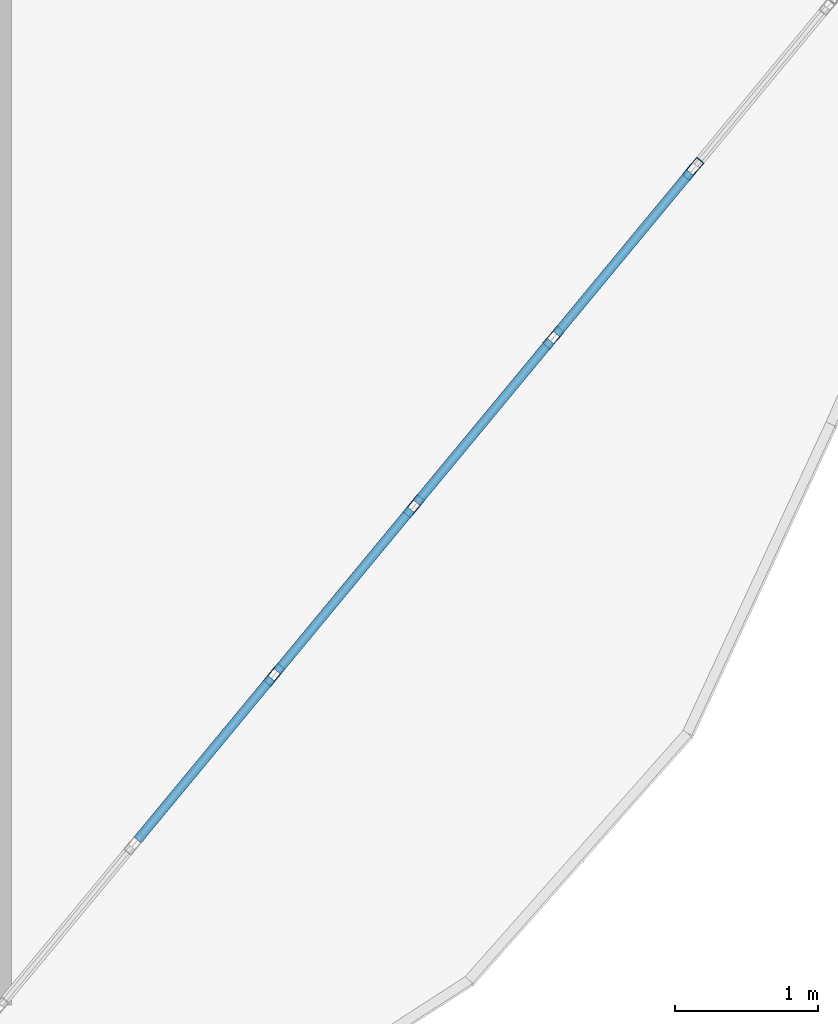
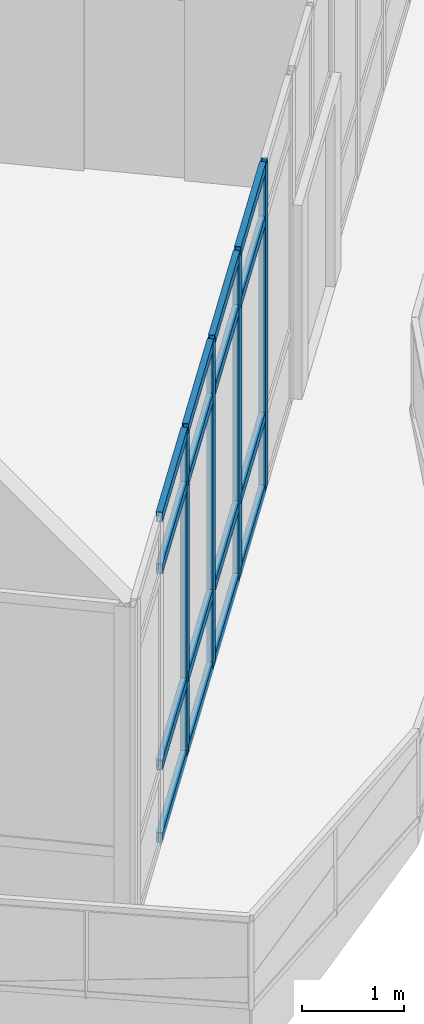
# One storey, part 124 of 184: 20 members, 1 element without a shape of its own.
"""IFC4 building model written with IfcOpenShell, lengths in metres."""

from ifc_helpers import new_model, si_unit, direction, frame, origin, origin_2d, place, context, subcontext, project, spatial, hollow_rectangle, extrude, material, material_profile, profile_set, type_object, element, aggregate, save


model = new_model("IFC4")

# Units and contexts
model_context = context("Model", 3, precision=1e-05, world=origin(), true_north=direction((0.0, 1.0)))
body_context = subcontext(model_context, "Body", "Model", "MODEL_VIEW")
ifc_project = project(units=[si_unit("LENGTHUNIT", "METRE"), si_unit("AREAUNIT", "SQUARE_METRE"), si_unit("VOLUMEUNIT", "CUBIC_METRE"), si_unit("PLANEANGLEUNIT", "RADIAN"), si_unit("MASSUNIT", "GRAM", prefix="KILO")], contexts=[model_context])

# Site, building, storey
site_placement = place(None, origin())
site = spatial("IfcSite", under=ifc_project, at=site_placement, CompositionType="ELEMENT")
building_placement = place(site_placement, origin())
building = spatial("IfcBuilding", under=site, at=building_placement, Name="Selatvlak General Hospital", CompositionType="ELEMENT")
storey_placement = place(building_placement, frame((0.0, 0.0, 15.0)))
storey = spatial("IfcBuildingStorey", under=building, at=storey_placement, Name="L03", CompositionType="ELEMENT", Elevation=15.0)

# Curtain wall, members
ifc_material_1 = material(Name="Solar-control Low-E double glazing", Category="glass")
curtain_wall_type = type_object("IfcCurtainWallType", Name="CW-CW-01", PredefinedType="USERDEFINED", material=ifc_material_1)
curtain_wall_placement = place(storey_placement, origin())
curtain_wall = element("IfcCurtainWall", 1, at=curtain_wall_placement, inside=storey, type_object=curtain_wall_type, Name="Glazed facade curtain wall CW-L03-0395", ObjectType="UNITISED CURTAIN WALL", PredefinedType="USERDEFINED")
ifc_material_2 = material(Name="Dark anodised aluminium mullion", Category="aluminium")
ifc_material_profile_1 = material_profile(ifc_material_2, hollow_rectangle(XDim=0.06494140625, YDim=0.159912109375, WallThickness=0.00390625, at=origin_2d()), Name="AL-MUL 65x160x4")
ifc_profile_set_1 = profile_set([ifc_material_profile_1], Name="Dark anodised aluminium mullion")
member_type_1 = type_object("IfcMemberType", Name="CWM-01", PredefinedType="MULLION", material=ifc_profile_set_1)
member_1_placement = place(storey_placement, frame((170.46044921875, 49.87841796875, 0.0), z_axis=(0.0, 0.0, 1.0), x_axis=(0.770267232802, -0.637721247938, 0.0)))
member_1 = element("IfcMember", 2, at=member_1_placement, type_object=member_type_1, Name="CW-01 mullion 2", PredefinedType="MULLION", context=body_context, shape_type="SweptSolid", body=[
    extrude(hollow_rectangle(XDim=0.06494140625, YDim=0.159912109375, WallThickness=0.00390625, at=origin_2d()), origin(), (0.0, 0.0, 1.0), 3.89501953125),
])
member_2_placement = place(storey_placement, frame((169.48291015625, 48.69775390625, 0.0), z_axis=(0.0, 0.0, 1.0), x_axis=(0.770267232802, -0.637721247938, 0.0)))
member_2 = element("IfcMember", 3, at=member_2_placement, type_object=member_type_1, Name="CW-01 mullion 3", PredefinedType="MULLION", context=body_context, shape_type="SweptSolid", body=[
    extrude(hollow_rectangle(XDim=0.06494140625, YDim=0.159912109375, WallThickness=0.00390625, at=origin_2d()), origin(), (0.0, 0.0, 1.0), 3.89501953125),
])
member_3_placement = place(storey_placement, frame((168.505615234375, 47.51708984375, 0.0), z_axis=(0.0, 0.0, 1.0), x_axis=(0.770267232802, -0.637721247938, 0.0)))
member_3 = element("IfcMember", 4, at=member_3_placement, type_object=member_type_1, Name="CW-01 mullion 4", PredefinedType="MULLION", context=body_context, shape_type="SweptSolid", body=[
    extrude(hollow_rectangle(XDim=0.06494140625, YDim=0.159912109375, WallThickness=0.00390625, at=origin_2d()), origin(), (0.0, 0.0, 1.0), 3.89501953125),
])
member_4_placement = place(storey_placement, frame((167.528076171875, 46.33642578125, 0.0), z_axis=(0.0, 0.0, 1.0), x_axis=(0.770267232802, -0.637721247938, 0.0)))
member_4 = element("IfcMember", 5, at=member_4_placement, type_object=member_type_1, Name="CW-01 mullion 5", PredefinedType="MULLION", context=body_context, shape_type="SweptSolid", body=[
    extrude(hollow_rectangle(XDim=0.06494140625, YDim=0.159912109375, WallThickness=0.00390625, at=origin_2d()), origin(), (0.0, 0.0, 1.0), 3.89501953125),
])
ifc_material_profile_2 = material_profile(ifc_material_2, hollow_rectangle(XDim=0.06494140625, YDim=0.1201171875, WallThickness=0.00390625, at=origin_2d()), Name="AL-TRN 65x120x4")
ifc_profile_set_2 = profile_set([ifc_material_profile_2], Name="Dark anodised aluminium mullion")
member_type_2 = type_object("IfcMemberType", Name="CWT-01", PredefinedType="USERDEFINED", material=ifc_profile_set_2)
member_5_placement = place(storey_placement, frame((170.439697265625, 49.853271484375, 0.032470703125), z_axis=(-0.637710674404, -0.770275986742, 0.0), x_axis=(0.770275986742, -0.637710674404, 0.0)))
member_5 = element("IfcMember", 6, at=member_5_placement, type_object=member_type_2, Name="CW-01 transom 2.1", ObjectType="TRANSOM", PredefinedType="USERDEFINED", context=body_context, shape_type="SweptSolid", body=[
    extrude(hollow_rectangle(XDim=0.06494140625, YDim=0.1201171875, WallThickness=0.00390625, at=origin_2d()), origin(), (0.0, 0.0, 1.0), 1.4677734375),
])
member_6_placement = place(storey_placement, frame((170.439697265625, 49.853271484375, 0.89990234375), z_axis=(-0.637710674404, -0.770275986742, 0.0), x_axis=(0.770275986742, -0.637710674404, 0.0)))
member_6 = element("IfcMember", 7, at=member_6_placement, type_object=member_type_2, Name="CW-01 transom 2.2", ObjectType="TRANSOM", PredefinedType="USERDEFINED", context=body_context, shape_type="SweptSolid", body=[
    extrude(hollow_rectangle(XDim=0.06494140625, YDim=0.1201171875, WallThickness=0.00390625, at=origin_2d()), origin(), (0.0, 0.0, 1.0), 1.4677734375),
])
member_7_placement = place(storey_placement, frame((170.439697265625, 49.853271484375, 3.2451171875), z_axis=(-0.637710674404, -0.770275986742, 0.0), x_axis=(0.770275986742, -0.637710674404, 0.0)))
member_7 = element("IfcMember", 8, at=member_7_placement, type_object=member_type_2, Name="CW-01 transom 2.3", ObjectType="TRANSOM", PredefinedType="USERDEFINED", context=body_context, shape_type="SweptSolid", body=[
    extrude(hollow_rectangle(XDim=0.06494140625, YDim=0.1201171875, WallThickness=0.00390625, at=origin_2d()), origin(), (0.0, 0.0, 1.0), 1.4677734375),
])
member_8_placement = place(storey_placement, frame((170.439697265625, 49.853271484375, 3.862548828125), z_axis=(-0.637710674404, -0.770275986742, 0.0), x_axis=(0.770275986742, -0.637710674404, 0.0)))
member_8 = element("IfcMember", 9, at=member_8_placement, type_object=member_type_2, Name="CW-01 transom 2.4", ObjectType="TRANSOM", PredefinedType="USERDEFINED", context=body_context, shape_type="SweptSolid", body=[
    extrude(hollow_rectangle(XDim=0.06494140625, YDim=0.1201171875, WallThickness=0.00390625, at=origin_2d()), origin(), (0.0, 0.0, 1.0), 1.4677734375),
])
member_9_placement = place(storey_placement, frame((169.462158203125, 48.672607421875, 0.032470703125), z_axis=(-0.637710674404, -0.770275986742, 0.0), x_axis=(0.770275986742, -0.637710674404, 0.0)))
member_9 = element("IfcMember", 10, at=member_9_placement, type_object=member_type_2, Name="CW-01 transom 3.1", ObjectType="TRANSOM", PredefinedType="USERDEFINED", context=body_context, shape_type="SweptSolid", body=[
    extrude(hollow_rectangle(XDim=0.06494140625, YDim=0.1201171875, WallThickness=0.00390625, at=origin_2d()), origin(), (0.0, 0.0, 1.0), 1.4677734375),
])
member_10_placement = place(storey_placement, frame((169.462158203125, 48.672607421875, 0.89990234375), z_axis=(-0.637710674404, -0.770275986742, 0.0), x_axis=(0.770275986742, -0.637710674404, 0.0)))
member_10 = element("IfcMember", 11, at=member_10_placement, type_object=member_type_2, Name="CW-01 transom 3.2", ObjectType="TRANSOM", PredefinedType="USERDEFINED", context=body_context, shape_type="SweptSolid", body=[
    extrude(hollow_rectangle(XDim=0.06494140625, YDim=0.1201171875, WallThickness=0.00390625, at=origin_2d()), origin(), (0.0, 0.0, 1.0), 1.4677734375),
])
member_11_placement = place(storey_placement, frame((169.462158203125, 48.672607421875, 3.2451171875), z_axis=(-0.637710674404, -0.770275986742, 0.0), x_axis=(0.770275986742, -0.637710674404, 0.0)))
member_11 = element("IfcMember", 12, at=member_11_placement, type_object=member_type_2, Name="CW-01 transom 3.3", ObjectType="TRANSOM", PredefinedType="USERDEFINED", context=body_context, shape_type="SweptSolid", body=[
    extrude(hollow_rectangle(XDim=0.06494140625, YDim=0.1201171875, WallThickness=0.00390625, at=origin_2d()), origin(), (0.0, 0.0, 1.0), 1.4677734375),
])
member_12_placement = place(storey_placement, frame((169.462158203125, 48.672607421875, 3.862548828125), z_axis=(-0.637710674404, -0.770275986742, 0.0), x_axis=(0.770275986742, -0.637710674404, 0.0)))
member_12 = element("IfcMember", 13, at=member_12_placement, type_object=member_type_2, Name="CW-01 transom 3.4", ObjectType="TRANSOM", PredefinedType="USERDEFINED", context=body_context, shape_type="SweptSolid", body=[
    extrude(hollow_rectangle(XDim=0.06494140625, YDim=0.1201171875, WallThickness=0.00390625, at=origin_2d()), origin(), (0.0, 0.0, 1.0), 1.4677734375),
])
member_13_placement = place(storey_placement, frame((168.48486328125, 47.491943359375, 0.032470703125), z_axis=(-0.637710674404, -0.770275986742, 0.0), x_axis=(0.770275986742, -0.637710674404, 0.0)))
member_13 = element("IfcMember", 14, at=member_13_placement, type_object=member_type_2, Name="CW-01 transom 4.1", ObjectType="TRANSOM", PredefinedType="USERDEFINED", context=body_context, shape_type="SweptSolid", body=[
    extrude(hollow_rectangle(XDim=0.06494140625, YDim=0.1201171875, WallThickness=0.00390625, at=origin_2d()), origin(), (0.0, 0.0, 1.0), 1.4677734375),
])
member_14_placement = place(storey_placement, frame((168.48486328125, 47.491943359375, 0.89990234375), z_axis=(-0.637710674404, -0.770275986742, 0.0), x_axis=(0.770275986742, -0.637710674404, 0.0)))
member_14 = element("IfcMember", 15, at=member_14_placement, type_object=member_type_2, Name="CW-01 transom 4.2", ObjectType="TRANSOM", PredefinedType="USERDEFINED", context=body_context, shape_type="SweptSolid", body=[
    extrude(hollow_rectangle(XDim=0.06494140625, YDim=0.1201171875, WallThickness=0.00390625, at=origin_2d()), origin(), (0.0, 0.0, 1.0), 1.4677734375),
])
member_15_placement = place(storey_placement, frame((168.48486328125, 47.491943359375, 3.2451171875), z_axis=(-0.637710674404, -0.770275986742, 0.0), x_axis=(0.770275986742, -0.637710674404, 0.0)))
member_15 = element("IfcMember", 16, at=member_15_placement, type_object=member_type_2, Name="CW-01 transom 4.3", ObjectType="TRANSOM", PredefinedType="USERDEFINED", context=body_context, shape_type="SweptSolid", body=[
    extrude(hollow_rectangle(XDim=0.06494140625, YDim=0.1201171875, WallThickness=0.00390625, at=origin_2d()), origin(), (0.0, 0.0, 1.0), 1.4677734375),
])
member_16_placement = place(storey_placement, frame((168.48486328125, 47.491943359375, 3.862548828125), z_axis=(-0.637710674404, -0.770275986742, 0.0), x_axis=(0.770275986742, -0.637710674404, 0.0)))
member_16 = element("IfcMember", 17, at=member_16_placement, type_object=member_type_2, Name="CW-01 transom 4.4", ObjectType="TRANSOM", PredefinedType="USERDEFINED", context=body_context, shape_type="SweptSolid", body=[
    extrude(hollow_rectangle(XDim=0.06494140625, YDim=0.1201171875, WallThickness=0.00390625, at=origin_2d()), origin(), (0.0, 0.0, 1.0), 1.4677734375),
])
member_17_placement = place(storey_placement, frame((167.50732421875, 46.311279296875, 0.032470703125), z_axis=(-0.637710674404, -0.770275986742, 0.0), x_axis=(0.770275986742, -0.637710674404, 0.0)))
member_17 = element("IfcMember", 18, at=member_17_placement, type_object=member_type_2, Name="CW-01 transom 5.1", ObjectType="TRANSOM", PredefinedType="USERDEFINED", context=body_context, shape_type="SweptSolid", body=[
    extrude(hollow_rectangle(XDim=0.06494140625, YDim=0.1201171875, WallThickness=0.00390625, at=origin_2d()), origin(), (0.0, 0.0, 1.0), 1.4677734375),
])
member_18_placement = place(storey_placement, frame((167.50732421875, 46.311279296875, 0.89990234375), z_axis=(-0.637710674404, -0.770275986742, 0.0), x_axis=(0.770275986742, -0.637710674404, 0.0)))
member_18 = element("IfcMember", 19, at=member_18_placement, type_object=member_type_2, Name="CW-01 transom 5.2", ObjectType="TRANSOM", PredefinedType="USERDEFINED", context=body_context, shape_type="SweptSolid", body=[
    extrude(hollow_rectangle(XDim=0.06494140625, YDim=0.1201171875, WallThickness=0.00390625, at=origin_2d()), origin(), (0.0, 0.0, 1.0), 1.4677734375),
])
member_19_placement = place(storey_placement, frame((167.50732421875, 46.311279296875, 3.2451171875), z_axis=(-0.637710674404, -0.770275986742, 0.0), x_axis=(0.770275986742, -0.637710674404, 0.0)))
member_19 = element("IfcMember", 20, at=member_19_placement, type_object=member_type_2, Name="CW-01 transom 5.3", ObjectType="TRANSOM", PredefinedType="USERDEFINED", context=body_context, shape_type="SweptSolid", body=[
    extrude(hollow_rectangle(XDim=0.06494140625, YDim=0.1201171875, WallThickness=0.00390625, at=origin_2d()), origin(), (0.0, 0.0, 1.0), 1.4677734375),
])
member_20_placement = place(storey_placement, frame((167.50732421875, 46.311279296875, 3.862548828125), z_axis=(-0.637710674404, -0.770275986742, 0.0), x_axis=(0.770275986742, -0.637710674404, 0.0)))
member_20 = element("IfcMember", 21, at=member_20_placement, type_object=member_type_2, Name="CW-01 transom 5.4", ObjectType="TRANSOM", PredefinedType="USERDEFINED", context=body_context, shape_type="SweptSolid", body=[
    extrude(hollow_rectangle(XDim=0.06494140625, YDim=0.1201171875, WallThickness=0.00390625, at=origin_2d()), origin(), (0.0, 0.0, 1.0), 1.4677734375),
])
aggregate(curtain_wall, [member_1, member_2, member_3, member_4, member_5, member_6, member_7, member_8, member_9, member_10, member_11, member_12, member_13, member_14, member_15, member_16, member_17, member_18, member_19, member_20])

save(model, "model.ifc")
